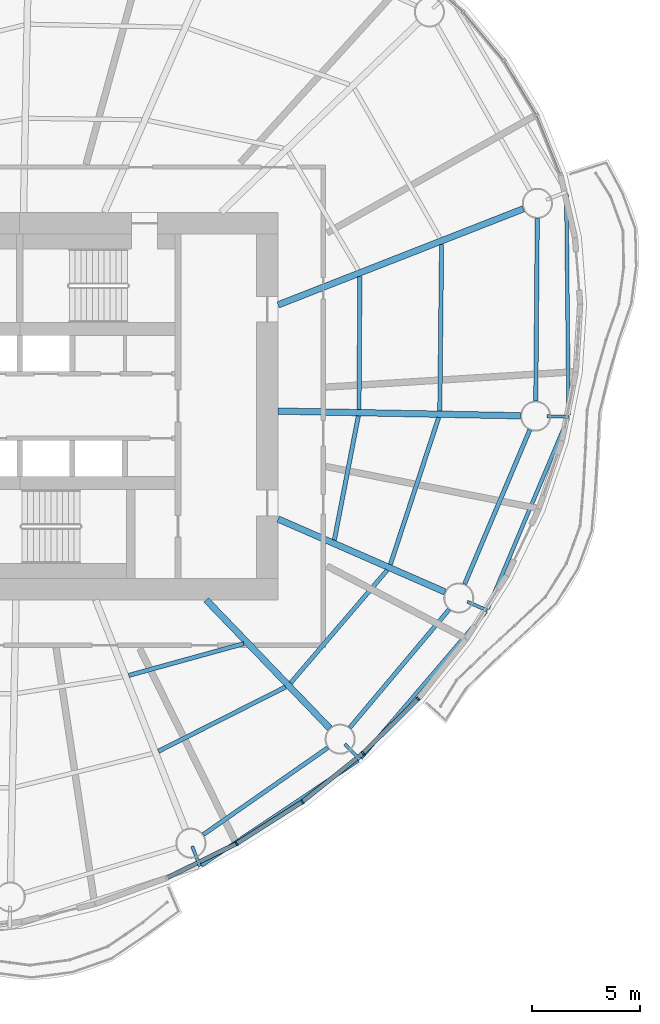
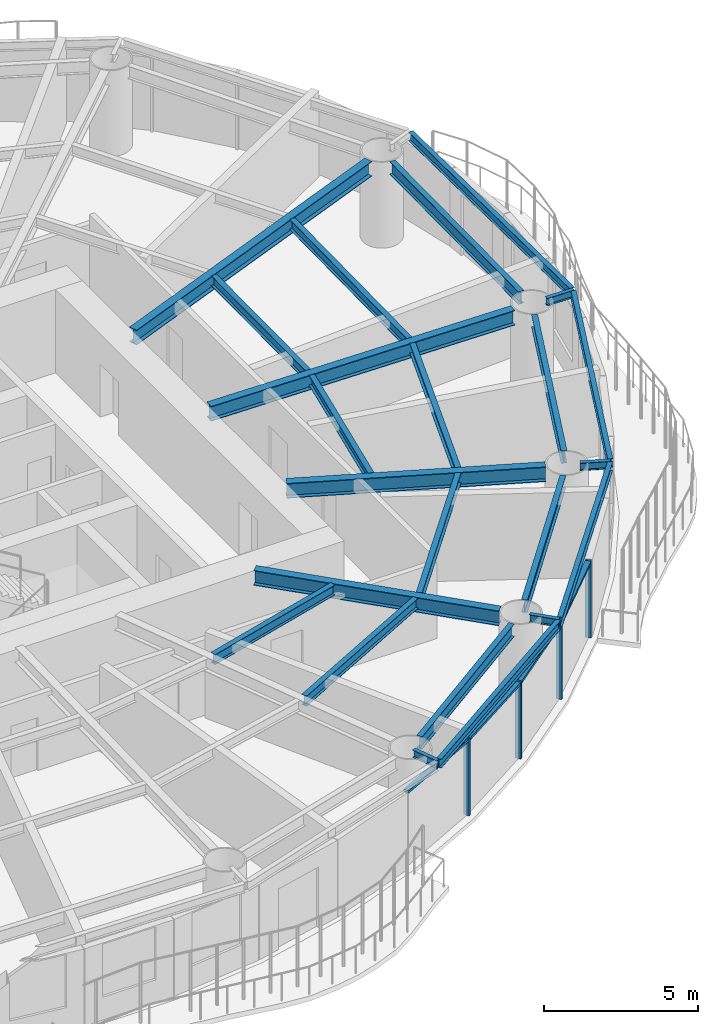
# One storey, part 4 of 15: 23 beams, 8 members, 4 elements without a shape of their own.
"""IFC4 building model written with IfcOpenShell, lengths in metres."""

from ifc_helpers import new_model, si_unit, direction, frame, origin, origin_2d, place, context, subcontext, project, spatial, rectangle, i_section, extrude, material, material_profile, profile_set, type_object, element, aggregate, save


model = new_model("IFC4")

# Units and contexts
model_context = context("Model", 3, precision=1e-05, world=origin(), true_north=direction((0.0, 1.0)))
body_context = subcontext(model_context, "Body", "Model", "MODEL_VIEW")
ifc_project = project(units=[si_unit("LENGTHUNIT", "METRE"), si_unit("AREAUNIT", "SQUARE_METRE"), si_unit("VOLUMEUNIT", "CUBIC_METRE"), si_unit("PLANEANGLEUNIT", "RADIAN"), si_unit("MASSUNIT", "GRAM", prefix="KILO")], contexts=[model_context])

# Site, building, storey
site_placement = place(None, origin())
site = spatial("IfcSite", under=ifc_project, at=site_placement, CompositionType="ELEMENT")
building_placement = place(site_placement, origin())
building = spatial("IfcBuilding", under=site, at=building_placement, Name="Vermilion Reach Broadcast Tower", CompositionType="ELEMENT")
storey_placement = place(building_placement, frame((0.0, 0.0, 175.800048828125)))
storey = spatial("IfcBuildingStorey", under=building, at=storey_placement, Name="L42", CompositionType="ELEMENT", Elevation=175.800048828125)

# Beams
ifc_material_1 = material(Name="Steel S355J2", Category="steel")
ifc_material_profile_1 = material_profile(ifc_material_1, i_section(OverallWidth=0.175048828125, OverallDepth=0.35009765625, WebThickness=0.007080078125, FlangeThickness=0.010986328125, at=origin_2d()), Name="S355J2 HN 350x175x7x11")
ifc_profile_set_1 = profile_set([ifc_material_profile_1], Name="Steel S355J2")
beam_type_1 = type_object("IfcBeamType", Name="EB3 HN 350x175x7x11", PredefinedType="BEAM", material=ifc_profile_set_1)
beam_1_placement = place(storey_placement, frame((2.43505859375, -21.3291015625, 3.224853515625), z_axis=(0.831158316568, 0.556035837693, 0.0), x_axis=(-0.556035837693, 0.831158316568, 0.0)))
element("IfcBeam", 1, at=beam_1_placement, inside=storey, type_object=beam_type_1, Name="Edge beam EB3-12", PredefinedType="BEAM", context=body_context, shape_type="SweptSolid", body=[
    extrude(i_section(OverallWidth=0.175048828125, OverallDepth=0.35009765625, WebThickness=0.007080078125, FlangeThickness=0.010986328125, at=origin_2d()), origin(), (0.0, 0.0, 1.0), 8.769287109375),
])
beam_2_placement = place(storey_placement, frame((9.835693359375, -16.353271484375, 3.224853515625), z_axis=(0.649539712975, 0.760327667041, 0.0), x_axis=(-0.760327667041, 0.649539712975, 0.0)))
element("IfcBeam", 2, at=beam_2_placement, inside=storey, type_object=beam_type_1, Name="Edge beam EB3-13", PredefinedType="BEAM", context=body_context, shape_type="SweptSolid", body=[
    extrude(i_section(OverallWidth=0.175048828125, OverallDepth=0.35009765625, WebThickness=0.007080078125, FlangeThickness=0.010986328125, at=origin_2d()), origin(), (0.0, 0.0, 1.0), 8.95361328125),
])
beam_3_placement = place(storey_placement, frame((15.7314453125, -9.4169921875, 3.224853515625), z_axis=(0.388151349144, 0.921595643522, 0.0), x_axis=(-0.921595643522, 0.388151349144, 0.0)))
element("IfcBeam", 3, at=beam_3_placement, inside=storey, type_object=beam_type_1, Name="Edge beam EB3-14", PredefinedType="BEAM", context=body_context, shape_type="SweptSolid", body=[
    extrude(i_section(OverallWidth=0.175048828125, OverallDepth=0.35009765625, WebThickness=0.007080078125, FlangeThickness=0.010986328125, at=origin_2d()), origin(), (0.0, 0.0, 1.0), 9.601318359375),
])
beam_4_placement = place(storey_placement, frame((19.48876953125, -0.4189453125, 3.224853515625), z_axis=(-0.010067400691, 0.999949322438, 0.0), x_axis=(-0.999949322438, -0.010067400691, 0.0)))
element("IfcBeam", 4, at=beam_4_placement, inside=storey, type_object=beam_type_1, Name="Edge beam EB3-15", PredefinedType="BEAM", context=body_context, shape_type="SweptSolid", body=[
    extrude(i_section(OverallWidth=0.175048828125, OverallDepth=0.35009765625, WebThickness=0.007080078125, FlangeThickness=0.010986328125, at=origin_2d()), origin(), (0.0, 0.0, 1.0), 10.2822265625),
])
ifc_material_2 = material(Name="Steel S355J2", Category="steel")
ifc_material_profile_2 = material_profile(ifc_material_2, i_section(OverallWidth=0.300048828125, OverallDepth=0.587890625, WebThickness=0.011962890625, FlangeThickness=0.02001953125, at=origin_2d()), Name="S355J2 HM 588x300x12x20")
ifc_profile_set_2 = profile_set([ifc_material_profile_2], Name="Steel S355J2")
beam_type_2 = type_object("IfcBeamType", Name="G3 HM 588x300x12x20", PredefinedType="BEAM", material=ifc_profile_set_2)
beam_5_placement = place(storey_placement, frame((2.657958984375, -9.0, 3.10595703125), z_axis=(0.693282657492, -0.72066577331, 0.0), x_axis=(0.72066577331, 0.693282657492, 0.0)))
element("IfcBeam", 5, at=beam_5_placement, inside=storey, type_object=beam_type_2, Name="Girder G3-13", PredefinedType="BEAM", context=body_context, shape_type="SweptSolid", body=[
    extrude(i_section(OverallWidth=0.300048828125, OverallDepth=0.587890625, WebThickness=0.011962890625, FlangeThickness=0.02001953125, at=origin_2d()), origin(), (0.0, 0.0, 1.0), 8.273681640625),
])
beam_6_placement = place(storey_placement, frame((6.0, -5.2451171875, 3.10595703125), z_axis=(0.916287847036, -0.400520388213, 0.0), x_axis=(0.400520388213, 0.916287847036, 0.0)))
element("IfcBeam", 6, at=beam_6_placement, inside=storey, type_object=beam_type_2, Name="Girder G3-14", PredefinedType="BEAM", context=body_context, shape_type="SweptSolid", body=[
    extrude(i_section(OverallWidth=0.300048828125, OverallDepth=0.587890625, WebThickness=0.011962890625, FlangeThickness=0.02001953125, at=origin_2d()), origin(), (0.0, 0.0, 1.0), 8.45458984375),
])
beam_7_placement = place(storey_placement, frame((6.0, -0.232421875, 3.10595703125), z_axis=(0.999812170888, -0.019380994401, 0.0), x_axis=(0.019380994401, 0.999812170888, 0.0)))
element("IfcBeam", 7, at=beam_7_placement, inside=storey, type_object=beam_type_2, Name="Girder G3-15", PredefinedType="BEAM", context=body_context, shape_type="SweptSolid", body=[
    extrude(i_section(OverallWidth=0.300048828125, OverallDepth=0.587890625, WebThickness=0.011962890625, FlangeThickness=0.02001953125, at=origin_2d()), origin(), (0.0, 0.0, 1.0), 11.26171875),
])
beam_8_placement = place(storey_placement, frame((6.0, 4.700439453125, 3.10595703125), z_axis=(0.931124635714, 0.364701128004, 0.0), x_axis=(-0.364701128004, 0.931124635714, 0.0)))
element("IfcBeam", 8, at=beam_8_placement, inside=storey, type_object=beam_type_2, Name="Girder G3-16", PredefinedType="BEAM", context=body_context, shape_type="SweptSolid", body=[
    extrude(i_section(OverallWidth=0.300048828125, OverallDepth=0.587890625, WebThickness=0.011962890625, FlangeThickness=0.02001953125, at=origin_2d()), origin(), (0.0, 0.0, 1.0), 12.231201171875),
])
ifc_material_3 = material(Name="Steel S355J2", Category="steel")
ifc_material_profile_3 = material_profile(ifc_material_3, i_section(OverallWidth=0.14990234375, OverallDepth=0.300048828125, WebThickness=0.006591796875, FlangeThickness=0.009033203125, at=origin_2d()), Name="S355J2 HN 300x150x6.5x9")
ifc_profile_set_3 = profile_set([ifc_material_profile_3], Name="Steel S355J2")
beam_type_3 = type_object("IfcBeamType", Name="GS3 HN 300x150x6.5x9", PredefinedType="BEAM", material=ifc_profile_set_3)
for number, where, z_axis, x_axis, name in (
    (9, (2.006591796875, -20.440673828125, 3.25), (0.364730702407, -0.931113051526, 0.0), (0.931113051526, 0.364730702407, 0.0), "Cantilever stub GS3-12"),
    (10, (9.093505859375, -15.68994140625, 3.25), (0.693303837595, -0.720645397388, 0.0), (0.720645397388, 0.693303837595, 0.0), "Cantilever stub GS3-13"),
):
    element("IfcBeam", number, at=place(storey_placement, frame(where, z_axis=z_axis, x_axis=x_axis)), inside=storey, type_object=beam_type_3, Name=name, PredefinedType="BEAM", context=body_context, shape_type="SweptSolid", body=[
        extrude(i_section(OverallWidth=0.14990234375, OverallDepth=0.300048828125, WebThickness=0.006591796875, FlangeThickness=0.009033203125, at=origin_2d()), origin(), (0.0, 0.0, 1.0), 1.0),
    ])
beam_9_placement = place(storey_placement, frame((14.785888671875, -9.08544921875, 3.25), z_axis=(0.916280532556, -0.40053712145, 0.0), x_axis=(0.40053712145, 0.916280532556, 0.0)))
element("IfcBeam", 11, at=beam_9_placement, inside=storey, type_object=beam_type_3, Name="Cantilever stub GS3-14", PredefinedType="BEAM", context=body_context, shape_type="SweptSolid", body=[
    extrude(i_section(OverallWidth=0.14990234375, OverallDepth=0.300048828125, WebThickness=0.006591796875, FlangeThickness=0.009033203125, at=origin_2d()), origin(), (0.0, 0.0, 1.0), 1.000244140625),
])
beam_10_placement = place(storey_placement, frame((18.48974609375, -0.474609375, 3.25), z_axis=(0.999813964781, -0.019288230334, 0.0), x_axis=(0.019288230334, 0.999813964781, 0.0)))
element("IfcBeam", 12, at=beam_10_placement, inside=storey, type_object=beam_type_3, Name="Cantilever stub GS3-15", PredefinedType="BEAM", context=body_context, shape_type="SweptSolid", body=[
    extrude(i_section(OverallWidth=0.14990234375, OverallDepth=0.300048828125, WebThickness=0.006591796875, FlangeThickness=0.009033203125, at=origin_2d()), origin(), (0.0, 0.0, 1.0), 1.0),
])
ifc_material_4 = material(Name="Steel S355J2", Category="steel")
ifc_material_profile_4 = material_profile(ifc_material_4, i_section(OverallWidth=0.199951171875, OverallDepth=0.5, WebThickness=0.010009765625, FlangeThickness=0.01611328125, at=origin_2d()), Name="S355J2 HN 500x200x10x16")
ifc_profile_set_4 = profile_set([ifc_material_profile_4], Name="Steel S355J2")
beam_type_4 = type_object("IfcBeamType", Name="RB3 HN 500x200x10x16", PredefinedType="BEAM", material=ifc_profile_set_4)
beam_11_placement = place(storey_placement, frame((2.525634765625, -19.900146484375, 3.14990234375), z_axis=(0.820111453349, 0.572203813415, 0.0), x_axis=(-0.572203813415, 0.820111453349, 0.0)))
element("IfcBeam", 13, at=beam_11_placement, inside=storey, type_object=beam_type_4, Name="Ring beam RB3-12", PredefinedType="BEAM", context=body_context, shape_type="SweptSolid", body=[
    extrude(i_section(OverallWidth=0.199951171875, OverallDepth=0.5, WebThickness=0.010009765625, FlangeThickness=0.01611328125, at=origin_2d()), origin(), (0.0, 0.0, 1.0), 7.04736328125),
])
beam_12_placement = place(storey_placement, frame((9.32958984375, -14.931396484375, 3.14990234375), z_axis=(0.643350337931, 0.765571905626, 0.0), x_axis=(-0.765571905626, 0.643350337931, 0.0)))
element("IfcBeam", 14, at=beam_12_placement, inside=storey, type_object=beam_type_4, Name="Ring beam RB3-13", PredefinedType="BEAM", context=body_context, shape_type="SweptSolid", body=[
    extrude(i_section(OverallWidth=0.199951171875, OverallDepth=0.5, WebThickness=0.010009765625, FlangeThickness=0.01611328125, at=origin_2d()), origin(), (0.0, 0.0, 1.0), 7.1630859375),
])
beam_13_placement = place(storey_placement, frame((14.660888671875, -8.266845703125, 3.14990234375), z_axis=(0.389368386196, 0.921082113512, 0.0), x_axis=(-0.921082113512, 0.389368386196, 0.0)))
element("IfcBeam", 15, at=beam_13_placement, inside=storey, type_object=beam_type_4, Name="Ring beam RB3-14", PredefinedType="BEAM", context=body_context, shape_type="SweptSolid", body=[
    extrude(i_section(OverallWidth=0.199951171875, OverallDepth=0.5, WebThickness=0.010009765625, FlangeThickness=0.01611328125, at=origin_2d()), origin(), (0.0, 0.0, 1.0), 7.771240234375),
])
beam_14_placement = place(storey_placement, frame((17.965087890625, 0.23583984375, 3.14990234375), z_axis=(0.008204232036, 0.999966344722, 0.0), x_axis=(-0.999966344722, 0.008204232036, 0.0)))
element("IfcBeam", 16, at=beam_14_placement, inside=storey, type_object=beam_type_4, Name="Ring beam RB3-15", PredefinedType="BEAM", context=body_context, shape_type="SweptSolid", body=[
    extrude(i_section(OverallWidth=0.199951171875, OverallDepth=0.5, WebThickness=0.010009765625, FlangeThickness=0.01611328125, at=origin_2d()), origin(), (0.0, 0.0, 1.0), 8.48095703125),
])
ifc_material_5 = material(Name="Steel S355J2", Category="steel")
ifc_material_profile_5 = material_profile(ifc_material_5, i_section(OverallWidth=0.199951171875, OverallDepth=0.39990234375, WebThickness=0.008056640625, FlangeThickness=0.012939453125, at=origin_2d()), Name="S355J2 HN 400x200x8x13")
ifc_profile_set_5 = profile_set([ifc_material_profile_5], Name="Steel S355J2")
beam_type_5 = type_object("IfcBeamType", Name="SB3 HN 400x200x8x13", PredefinedType="BEAM", material=ifc_profile_set_5)
beam_15_placement = place(storey_placement, frame((-0.93896484375, -12.509521484375, 3.199951171875), z_axis=(0.963889790258, 0.266301468708, 0.0), x_axis=(-0.266301468708, 0.963889790258, 0.0)))
element("IfcBeam", 17, at=beam_15_placement, inside=storey, type_object=beam_type_5, Name="Secondary beam SB3-12-1", PredefinedType="BEAM", context=body_context, shape_type="SweptSolid", body=[
    extrude(i_section(OverallWidth=0.199951171875, OverallDepth=0.39990234375, WebThickness=0.008056640625, FlangeThickness=0.012939453125, at=origin_2d()), origin(), (0.0, 0.0, 1.0), 5.544677734375),
])
beam_16_placement = place(storey_placement, frame((0.4404296875, -16.03125, 3.199951171875), z_axis=(0.892320561657, 0.451402276516, 0.0), x_axis=(-0.451402276516, 0.892320561657, 0.0)))
element("IfcBeam", 18, at=beam_16_placement, inside=storey, type_object=beam_type_5, Name="Secondary beam SB3-12-2", PredefinedType="BEAM", context=body_context, shape_type="SweptSolid", body=[
    extrude(i_section(OverallWidth=0.199951171875, OverallDepth=0.39990234375, WebThickness=0.008056640625, FlangeThickness=0.012939453125, at=origin_2d()), origin(), (0.0, 0.0, 1.0), 6.613525390625),
])
beam_17_placement = place(storey_placement, frame((6.579833984375, -12.860595703125, 3.199951171875), z_axis=(0.650167134505, 0.759791219487, 0.0), x_axis=(-0.759791219487, 0.650167134505, 0.0)))
element("IfcBeam", 19, at=beam_17_placement, inside=storey, type_object=beam_type_5, Name="Secondary beam SB3-13-2", PredefinedType="BEAM", context=body_context, shape_type="SweptSolid", body=[
    extrude(i_section(OverallWidth=0.199951171875, OverallDepth=0.39990234375, WebThickness=0.008056640625, FlangeThickness=0.012939453125, at=origin_2d()), origin(), (0.0, 0.0, 1.0), 6.89501953125),
])
beam_18_placement = place(storey_placement, frame((8.611328125, -6.222900390625, 3.199951171875), z_axis=(0.189462365782, 0.981887983404, 0.0), x_axis=(-0.981887983404, 0.189462365782, 0.0)))
element("IfcBeam", 20, at=beam_18_placement, inside=storey, type_object=beam_type_5, Name="Secondary beam SB3-14-1", PredefinedType="BEAM", context=body_context, shape_type="SweptSolid", body=[
    extrude(i_section(OverallWidth=0.199951171875, OverallDepth=0.39990234375, WebThickness=0.008056640625, FlangeThickness=0.012939453125, at=origin_2d()), origin(), (0.0, 0.0, 1.0), 5.874755859375),
])
beam_19_placement = place(storey_placement, frame((11.211669921875, -7.359375, 3.199951171875), z_axis=(0.312243016281, 0.950002262515, 0.0), x_axis=(-0.950002262515, 0.312243016281, 0.0)))
element("IfcBeam", 21, at=beam_19_placement, inside=storey, type_object=beam_type_5, Name="Secondary beam SB3-14-2", PredefinedType="BEAM", context=body_context, shape_type="SweptSolid", body=[
    extrude(i_section(OverallWidth=0.199951171875, OverallDepth=0.39990234375, WebThickness=0.008056640625, FlangeThickness=0.012939453125, at=origin_2d()), origin(), (0.0, 0.0, 1.0), 7.19189453125),
])
beam_20_placement = place(storey_placement, frame((9.754150390625, -0.1552734375, 3.199951171875), z_axis=(0.006635449147, 0.999977985165, 0.0), x_axis=(-0.999977985165, 0.006635449147, 0.0)))
element("IfcBeam", 22, at=beam_20_placement, inside=storey, type_object=beam_type_5, Name="Secondary beam SB3-15-1", PredefinedType="BEAM", context=body_context, shape_type="SweptSolid", body=[
    extrude(i_section(OverallWidth=0.199951171875, OverallDepth=0.39990234375, WebThickness=0.008056640625, FlangeThickness=0.012939453125, at=origin_2d()), origin(), (0.0, 0.0, 1.0), 6.181396484375),
])
beam_21_placement = place(storey_placement, frame((13.508056640625, -0.22802734375, 3.199951171875), z_axis=(0.010691708672, 0.999942842049, 0.0), x_axis=(-0.999942842049, 0.010691708672, 0.0)))
element("IfcBeam", 23, at=beam_21_placement, inside=storey, type_object=beam_type_5, Name="Secondary beam SB3-15-2", PredefinedType="BEAM", context=body_context, shape_type="SweptSolid", body=[
    extrude(i_section(OverallWidth=0.199951171875, OverallDepth=0.39990234375, WebThickness=0.008056640625, FlangeThickness=0.012939453125, at=origin_2d()), origin(), (0.0, 0.0, 1.0), 7.740966796875),
])

# Curtain wall, member
ifc_material_6 = material(Name="Low-e laminated clear glass in aluminium frame", Category="aluminium")
curtain_wall_type = type_object("IfcCurtainWallType", Name="Slot curtain wall", PredefinedType="NOTDEFINED", material=ifc_material_6)
placement = place(storey_placement, origin())
curtain_wall_1 = element("IfcCurtainWall", 24, at=placement, inside=storey, type_object=curtain_wall_type, Name="Slot curtain wall L42 35", PredefinedType="NOTDEFINED")
ifc_material_7 = material(Name="Anodised aluminium", Category="aluminium")
ifc_material_profile_6 = material_profile(ifc_material_7, rectangle(XDim=0.199951171875, YDim=0.080078125, at=origin_2d()), Name="Slot mullion 80 x 200")
ifc_profile_set_6 = profile_set([ifc_material_profile_6], Name="Anodised aluminium")
member_type_1 = type_object("IfcMemberType", Name="Slot mullion 80 x 200", PredefinedType="MULLION", material=ifc_profile_set_6)
member_1_placement = place(storey_placement, frame((4.065673828125, -20.318359375, 0.0), z_axis=(0.0, 0.0, 1.0), x_axis=(-0.490205187425, 0.871607064118, 0.0)))
member_1 = element("IfcMember", 25, at=member_1_placement, type_object=member_type_1, Name="Slot mullion L42 35", PredefinedType="MULLION", context=body_context, shape_type="SweptSolid", body=[
    extrude(rectangle(XDim=0.199951171875, YDim=0.080078125, at=origin_2d()), origin(), (0.0, 0.0, 1.0), 3.050048828125),
])

curtain_wall_2 = element("IfcCurtainWall", 26, at=placement, inside=storey, type_object=curtain_wall_type, Name="Slot curtain wall L42 36", PredefinedType="NOTDEFINED")
member_2_placement = place(storey_placement, frame((7.118408203125, -18.377685546875, 0.0), z_axis=(0.0, 0.0, 1.0), x_axis=(-0.580987148963, 0.81391273042, 0.0)))
member_2 = element("IfcMember", 27, at=member_2_placement, type_object=member_type_1, Name="Slot mullion L42 36", PredefinedType="MULLION", context=body_context, shape_type="SweptSolid", body=[
    extrude(rectangle(XDim=0.199951171875, YDim=0.080078125, at=origin_2d()), origin(), (0.0, 0.0, 1.0), 3.050048828125),
])

# Curtain wall, members
curtain_wall_3 = element("IfcCurtainWall", 28, at=placement, inside=storey, type_object=curtain_wall_type, Name="Slot curtain wall L42 37", PredefinedType="NOTDEFINED")
member_3_placement = place(storey_placement, frame((9.945556640625, -16.12109375, 0.0), z_axis=(0.0, 0.0, 1.0), x_axis=(-0.665047031623, 0.746801476786, 0.0)))
member_3 = element("IfcMember", 29, at=member_3_placement, type_object=member_type_1, Name="Slot mullion L42 37", PredefinedType="MULLION", context=body_context, shape_type="SweptSolid", body=[
    extrude(rectangle(XDim=0.199951171875, YDim=0.080078125, at=origin_2d()), origin(), (0.0, 0.0, 1.0), 3.050048828125),
])
member_4_placement = place(storey_placement, frame((12.498779296875, -13.587890625, 0.0), z_axis=(0.0, 0.0, 1.0), x_axis=(-0.742221514212, 0.670154626815, 0.0)))
member_4 = element("IfcMember", 30, at=member_4_placement, type_object=member_type_1, Name="Slot mullion L42 38", PredefinedType="MULLION", context=body_context, shape_type="SweptSolid", body=[
    extrude(rectangle(XDim=0.199951171875, YDim=0.080078125, at=origin_2d()), origin(), (0.0, 0.0, 1.0), 3.050048828125),
])

# Curtain wall, member
curtain_wall_4 = element("IfcCurtainWall", 31, at=placement, inside=storey, type_object=curtain_wall_type, Name="Slot curtain wall L42 34", PredefinedType="NOTDEFINED")
ifc_material_8 = material(Name="Anodised aluminium", Category="aluminium")
ifc_material_profile_7 = material_profile(ifc_material_8, rectangle(XDim=0.199951171875, YDim=0.10009765625, at=origin_2d()), Name="Slot transom 200 x 100")
ifc_profile_set_7 = profile_set([ifc_material_profile_7], Name="Anodised aluminium")
member_type_2 = type_object("IfcMemberType", Name="Slot transom 200 x 100", PredefinedType="USERDEFINED", material=ifc_profile_set_7)
member_5_placement = place(storey_placement, frame((0.8759765625, -21.892333984375, 3.0), z_axis=(0.896775033416, 0.442486767533, 0.0), x_axis=(-0.442486767533, 0.896775033416, 0.0)))
member_5 = element("IfcMember", 32, at=member_5_placement, type_object=member_type_2, Name="Slot transom L42 34.1", ObjectType="TRANSOM", PredefinedType="USERDEFINED", context=body_context, shape_type="SweptSolid", body=[
    extrude(rectangle(XDim=0.199951171875, YDim=0.10009765625, at=origin_2d()), origin(), (0.0, 0.0, 1.0), 3.516845703125),
])
aggregate(curtain_wall_4, [member_5])

# Member
member_6_placement = place(storey_placement, frame((4.099365234375, -20.296875, 3.0), z_axis=(0.843925675573, 0.536460114183, 0.0), x_axis=(-0.536460114183, 0.843925675573, 0.0)))
member_6 = element("IfcMember", 33, at=member_6_placement, type_object=member_type_2, Name="Slot transom L42 35.1", ObjectType="TRANSOM", PredefinedType="USERDEFINED", context=body_context, shape_type="SweptSolid", body=[
    extrude(rectangle(XDim=0.199951171875, YDim=0.10009765625, at=origin_2d()), origin(), (0.0, 0.0, 1.0), 3.537353515625),
])

aggregate(curtain_wall_1, [member_1, member_6])

member_7_placement = place(storey_placement, frame((7.149658203125, -18.352783203125, 3.0), z_axis=(0.781548416594, 0.623844590038, 0.0), x_axis=(-0.623844590038, 0.781548416594, 0.0)))
member_7 = element("IfcMember", 34, at=member_7_placement, type_object=member_type_2, Name="Slot transom L42 36.1", ObjectType="TRANSOM", PredefinedType="USERDEFINED", context=body_context, shape_type="SweptSolid", body=[
    extrude(rectangle(XDim=0.199951171875, YDim=0.10009765625, at=origin_2d()), origin(), (0.0, 0.0, 1.0), 3.537353515625),
])

aggregate(curtain_wall_2, [member_2, member_7])

member_8_placement = place(storey_placement, frame((9.97412109375, -16.093017578125, 3.0), z_axis=(0.709843647311, 0.704359280745, 0.0), x_axis=(-0.704359280745, 0.709843647311, 0.0)))
member_8 = element("IfcMember", 35, at=member_8_placement, type_object=member_type_2, Name="Slot transom L42 37.1", ObjectType="TRANSOM", PredefinedType="USERDEFINED", context=body_context, shape_type="SweptSolid", body=[
    extrude(rectangle(XDim=0.199951171875, YDim=0.10009765625, at=origin_2d()), origin(), (0.0, 0.0, 1.0), 3.516845703125),
])

aggregate(curtain_wall_3, [member_3, member_4, member_8])

save(model, "model.ifc")
